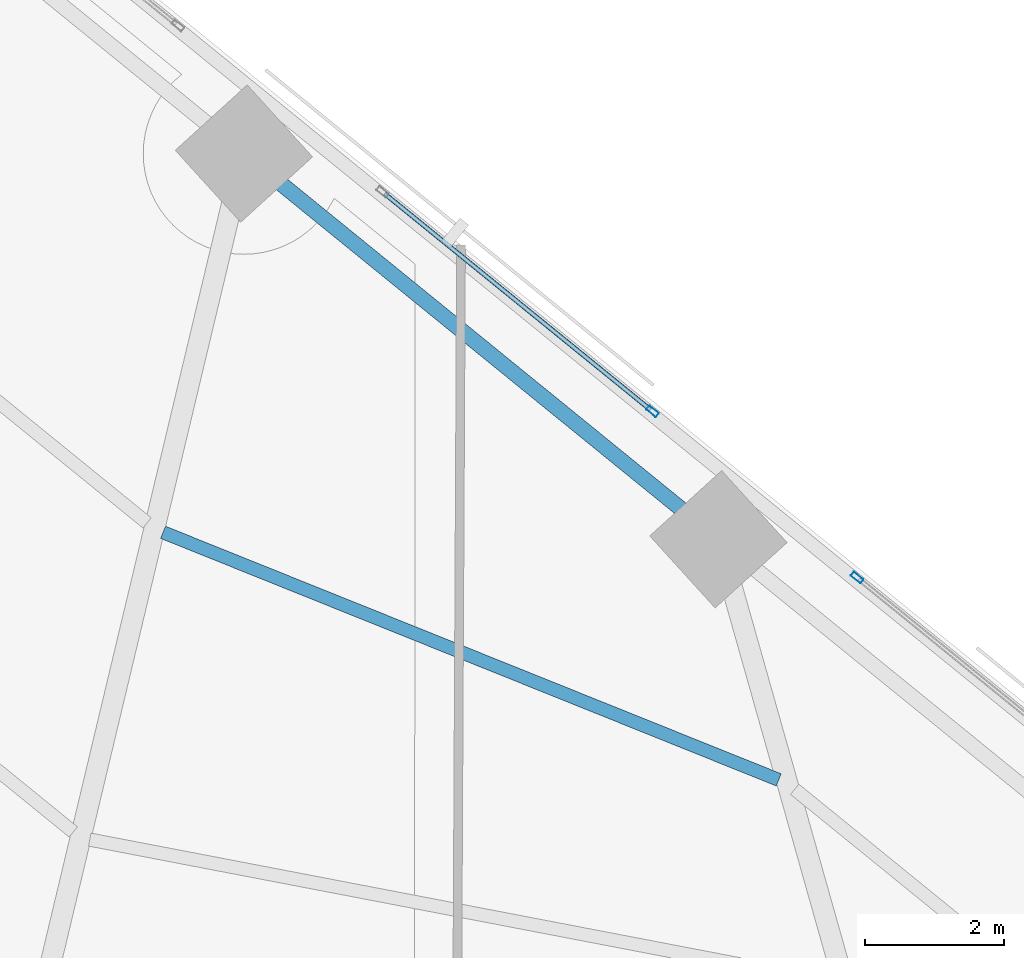
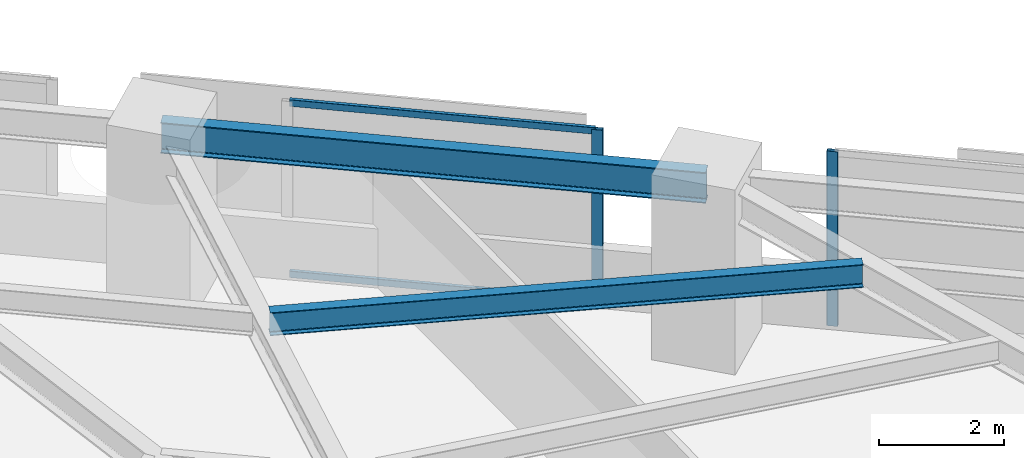
# One storey, part 10 of 17: 4 members, 2 beams, 2 elements without a shape of their own.
"""IFC4 building model written with IfcOpenShell, lengths in metres."""

from ifc_helpers import new_model, si_unit, direction, frame, origin, origin_2d, place, context, subcontext, project, spatial, hollow_rectangle, i_section, extrude, material, material_profile, profile_set, type_object, element, aggregate, save


model = new_model("IFC4")

# Units and contexts
model_context = context("Model", 3, precision=1e-05, world=origin(), true_north=direction((0.0, 1.0)))
body_context = subcontext(model_context, "Body", "Model", "MODEL_VIEW")
ifc_project = project(units=[si_unit("LENGTHUNIT", "METRE"), si_unit("AREAUNIT", "SQUARE_METRE"), si_unit("VOLUMEUNIT", "CUBIC_METRE"), si_unit("PLANEANGLEUNIT", "RADIAN"), si_unit("MASSUNIT", "GRAM", prefix="KILO")], contexts=[model_context])

# Site, building, storey
site_placement = place(None, origin())
site = spatial("IfcSite", under=ifc_project, at=site_placement, CompositionType="ELEMENT")
building_placement = place(site_placement, origin())
building = spatial("IfcBuilding", under=site, at=building_placement, Name="Narakoshi Arena Tower", CompositionType="ELEMENT")
storey_placement = place(building_placement, frame((0.0, 0.0, 37.5)))
storey = spatial("IfcBuildingStorey", under=building, at=storey_placement, Name="L09", CompositionType="ELEMENT", Elevation=37.5)

# Beams
ifc_material_1 = material(Name="Structural steel S355J2", Category="steel")
ifc_material_profile_1 = material_profile(ifc_material_1, i_section(OverallWidth=0.219970703125, OverallDepth=0.60009765625, WebThickness=0.011962890625, FlangeThickness=0.01904296875, FilletRadius=0.02392578125, at=origin_2d()), Name="IPE600")
ifc_profile_set_1 = profile_set([ifc_material_profile_1], Name="Structural steel S355J2")
beam_type_1 = type_object("IfcBeamType", Name="BM-EDGE-600", PredefinedType="BEAM", material=ifc_profile_set_1)
beam_1_placement = place(storey_placement, frame((82.626953125, 66.838623046875, 3.10009765625), z_axis=(-0.775997794165, 0.630735620883, 0.0), x_axis=(-0.630735620883, -0.775997794165, 0.0)))
element("IfcBeam", 1, at=beam_1_placement, inside=storey, type_object=beam_type_1, Name="L09 Perimeter Edge Girder 10", PredefinedType="BEAM", context=body_context, shape_type="SweptSolid", body=[
    extrude(i_section(OverallWidth=0.219970703125, OverallDepth=0.60009765625, WebThickness=0.011962890625, FlangeThickness=0.01904296875, FilletRadius=0.02392578125, at=origin_2d()), origin(), (0.0, 0.0, 1.0), 8.80517578125),
])
ifc_material_profile_2 = material_profile(ifc_material_1, i_section(OverallWidth=0.18994140625, OverallDepth=0.449951171875, WebThickness=0.009521484375, FlangeThickness=0.0146484375, FilletRadius=0.02099609375, at=origin_2d()), Name="IPE450")
ifc_profile_set_2 = profile_set([ifc_material_profile_2], Name="Structural steel S355J2")
beam_type_2 = type_object("IfcBeamType", Name="BM-SEC-450", PredefinedType="JOIST", material=ifc_profile_set_2)
beam_2_placement = place(storey_placement, frame((83.49560546875, 63.373779296875, 3.175048828125), z_axis=(-0.927809182241, 0.37305511838, 0.0), x_axis=(-0.37305511838, -0.927809182241, 0.0)))
element("IfcBeam", 2, at=beam_2_placement, inside=storey, type_object=beam_type_2, Name="L09 Composite Secondary Floor Joist 14", PredefinedType="JOIST", context=body_context, shape_type="SweptSolid", body=[
    extrude(i_section(OverallWidth=0.18994140625, OverallDepth=0.449951171875, WebThickness=0.009521484375, FlangeThickness=0.0146484375, FilletRadius=0.02099609375, at=origin_2d()), origin(), (0.0, 0.0, 1.0), 9.55615234375),
])

# Curtain wall, member
ifc_material_2 = material(Name="Anodised bronze aluminium 6063-T6", Category="aluminium")
curtain_wall_type = type_object("IfcCurtainWallType", Name="CW-HYP-LOW", PredefinedType="NOTDEFINED", material=ifc_material_2)
curtain_wall_1_placement = place(storey_placement, origin())
curtain_wall_1 = element("IfcCurtainWall", 3, at=curtain_wall_1_placement, inside=storey, type_object=curtain_wall_type, Name="L09 Folded Hypotenuse Curtain Wall 2-2", PredefinedType="NOTDEFINED")
ifc_material_profile_3 = material_profile(ifc_material_2, hollow_rectangle(XDim=0.074951171875, YDim=0.179931640625, WallThickness=0.00390625, OuterFilletRadius=0.0048828125, at=origin_2d()), Name="MUL180x75x4")
ifc_profile_set_3 = profile_set([ifc_material_profile_3], Name="Anodised bronze aluminium 6063-T6")
member_type_1 = type_object("IfcMemberType", Name="MEM-MUL-180", PredefinedType="MULLION", material=ifc_profile_set_3)
member_1_placement = place(storey_placement, frame((84.623779296875, 66.285400390625, 0.0), z_axis=(0.0, 0.0, 1.0), x_axis=(-0.630734833051, -0.775998434519, 0.0)))
member_1 = element("IfcMember", 4, at=member_1_placement, type_object=member_type_1, Name="CW-01 mullion 2", PredefinedType="MULLION", context=body_context, shape_type="SweptSolid", body=[
    extrude(hollow_rectangle(XDim=0.074951171875, YDim=0.179931640625, WallThickness=0.00390625, OuterFilletRadius=0.0048828125, at=origin_2d()), origin(), (0.0, 0.0, 1.0), 3.39990234375),
])
aggregate(curtain_wall_1, [member_1])

# Curtain wall, members
curtain_wall_2_placement = place(storey_placement, origin())
curtain_wall_2 = element("IfcCurtainWall", 5, at=curtain_wall_2_placement, inside=storey, type_object=curtain_wall_type, Name="L09 Folded Hypotenuse Curtain Wall 2-3", PredefinedType="NOTDEFINED")
member_2_placement = place(storey_placement, frame((81.677001953125, 68.6806640625, 0.0), z_axis=(0.0, 0.0, 1.0), x_axis=(-0.630722984816, -0.776008064665, 0.0)))
member_2 = element("IfcMember", 6, at=member_2_placement, type_object=member_type_1, Name="CW-01 mullion 1", PredefinedType="MULLION", context=body_context, shape_type="SweptSolid", body=[
    extrude(hollow_rectangle(XDim=0.074951171875, YDim=0.179931640625, WallThickness=0.00390625, OuterFilletRadius=0.0048828125, at=origin_2d()), origin(), (0.0, 0.0, 1.0), 3.39990234375),
])
ifc_material_profile_4 = material_profile(ifc_material_2, hollow_rectangle(XDim=0.06494140625, YDim=0.1298828125, WallThickness=0.00390625, OuterFilletRadius=0.0048828125, at=origin_2d()), Name="TRN130x65x4")
ifc_profile_set_4 = profile_set([ifc_material_profile_4], Name="Anodised bronze aluminium 6063-T6")
member_type_2 = type_object("IfcMemberType", Name="MEM-TRN-130", PredefinedType="USERDEFINED", material=ifc_profile_set_4)
member_3_placement = place(storey_placement, frame((81.647705078125, 68.704345703125, 0.032470703125), z_axis=(-0.77600648718, 0.630724925665, 0.0), x_axis=(-0.630724925665, -0.77600648718, 0.0)))
member_3 = element("IfcMember", 7, at=member_3_placement, type_object=member_type_2, Name="CW-01 transom 1.1", ObjectType="TRANSOM", PredefinedType="USERDEFINED", context=body_context, shape_type="SweptSolid", body=[
    extrude(hollow_rectangle(XDim=0.06494140625, YDim=0.1298828125, WallThickness=0.00390625, OuterFilletRadius=0.0048828125, at=origin_2d()), origin(), (0.0, 0.0, 1.0), 4.93212890625),
])
member_4_placement = place(storey_placement, frame((81.647705078125, 68.704345703125, 3.367431640625), z_axis=(-0.77600648718, 0.630724925665, 0.0), x_axis=(-0.630724925665, -0.77600648718, 0.0)))
member_4 = element("IfcMember", 8, at=member_4_placement, type_object=member_type_2, Name="CW-01 transom 1.2", ObjectType="TRANSOM", PredefinedType="USERDEFINED", context=body_context, shape_type="SweptSolid", body=[
    extrude(hollow_rectangle(XDim=0.06494140625, YDim=0.1298828125, WallThickness=0.00390625, OuterFilletRadius=0.0048828125, at=origin_2d()), origin(), (0.0, 0.0, 1.0), 4.93212890625),
])
aggregate(curtain_wall_2, [member_2, member_3, member_4])

save(model, "model.ifc")
